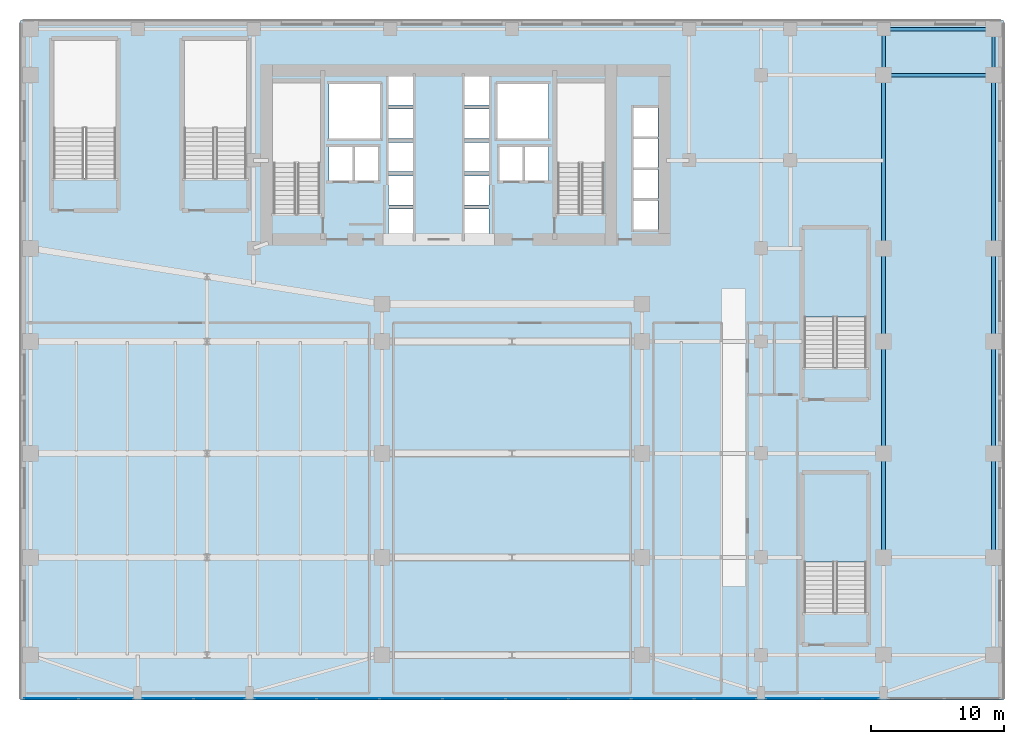
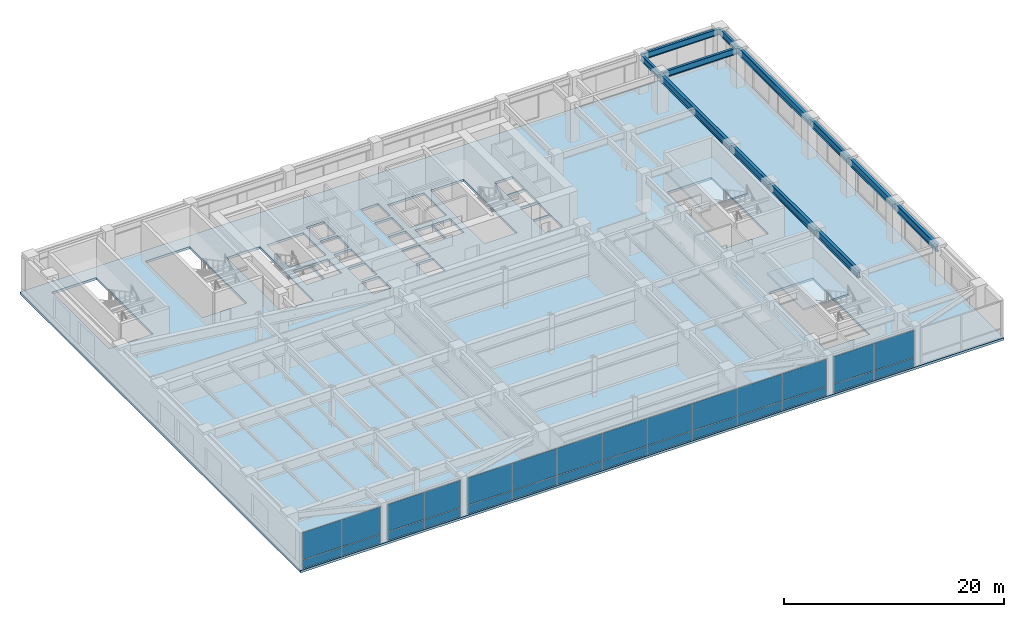
# One storey, part 17 of 27: 28 plates, 12 beams, 3 slabs, 6 elements without a shape of their own.
"""IFC4 building model written with IfcOpenShell, lengths in metres."""

import ifcopenshell
import ifcopenshell.guid

model = None  # the IFC model being written
_history = None  # IfcOwnerHistory: only IFC2X3 demands one
_inside = {}  # id of a spatial element -> (the spatial element, [elements in it])
_under = {}  # id of a project, library or spatial element -> (it, [spatial elements below it])
_declared = {}  # id of a project -> (the project, [libraries it declares])
_typed = {}  # id of a type object -> (the type object, [elements of that type])
_made_of = {}  # id of a material, layer set ... -> (it, [elements and type objects made of it])


def new_model(schema):
    """Start an empty IFC model of exactly this schema.

    Asked for "IFC4X3", IfcOpenShell would pick the latest addendum, in which some entities
    have other attributes; the version numbers below select the first issue.
    IFC2X3 requires an IfcOwnerHistory on every rooted entity: one is made here for all.
    """
    global model, _history
    if schema == "IFC4X3":
        model = ifcopenshell.file(schema_version=(4, 3, 0, 0))
    else:
        model = ifcopenshell.file(schema=schema)
    _inside.clear()
    _under.clear()
    _declared.clear()
    _typed.clear()
    _made_of.clear()
    _history = None
    if model.schema == "IFC2X3":
        org = make("IfcOrganization", Name="unknown")
        user = make(
            "IfcPersonAndOrganization",
            ThePerson=make("IfcPerson", FamilyName="unknown"),
            TheOrganization=org,
        )
        app = make(
            "IfcApplication",
            ApplicationDeveloper=org,
            Version="unknown",
            ApplicationFullName="unknown",
            ApplicationIdentifier="unknown",
        )
        _history = make(
            "IfcOwnerHistory",
            OwningUser=user,
            OwningApplication=app,
            ChangeAction="ADDED",
            CreationDate=0,
        )
    return model


def make(cls, **values):
    """One entity of the class cls with the attributes given. An attribute that is None is left unset."""
    return model.create_entity(
        cls, **{name: value for name, value in values.items() if value is not None}
    )


def rooted(cls, **values):
    """An entity with a GlobalId (a new one), such as an element, a storey or a relation."""
    return make(cls, GlobalId=ifcopenshell.guid.new(), OwnerHistory=_history, **values)


def si_unit(unit_type, name, prefix=None):
    """IfcSIUnit, for example si_unit("LENGTHUNIT", "METRE", prefix="MILLI")."""
    return make("IfcSIUnit", UnitType=unit_type, Prefix=prefix, Name=name)


def assignment(units):
    """IfcUnitAssignment: the units of a project."""
    return None if units is None else make("IfcUnitAssignment", Units=units)


def point(xyz):
    """IfcCartesianPoint."""
    return None if xyz is None else make("IfcCartesianPoint", Coordinates=xyz)


def direction(xyz):
    """IfcDirection."""
    return None if xyz is None else make("IfcDirection", DirectionRatios=xyz)


def frame(location, z_axis=None, x_axis=None):
    """IfcAxis2Placement3D, a coordinate frame: its origin and axes. An axis left out is left unset."""
    return make(
        "IfcAxis2Placement3D",
        Location=point(location),
        Axis=direction(z_axis),
        RefDirection=direction(x_axis),
    )


def frame_2d(location, x_axis=None):
    """IfcAxis2Placement2D, a coordinate frame in the plane: its origin and x axis."""
    return make(
        "IfcAxis2Placement2D", Location=point(location), RefDirection=direction(x_axis)
    )


def origin():
    """The frame at (0, 0, 0) with its axes left unset."""
    return frame((0.0, 0.0, 0.0))


def origin_2d():
    """The frame at (0, 0) in the plane with its x axis left unset."""
    return frame_2d((0.0, 0.0))


def place(relative_to, where):
    """IfcLocalPlacement: puts the frame where relative to a parent placement (None: the world)."""
    return make(
        "IfcLocalPlacement", PlacementRelTo=relative_to, RelativePlacement=where
    )


def context(
    kind, dimensions, precision=None, world=None, true_north=None, identifier=None
):
    """IfcGeometricRepresentationContext, for example the 3D "Model" context."""
    return make(
        "IfcGeometricRepresentationContext",
        ContextIdentifier=identifier,
        ContextType=kind,
        CoordinateSpaceDimension=dimensions,
        Precision=precision,
        WorldCoordinateSystem=world,
        TrueNorth=true_north,
    )


def subcontext(parent, identifier, kind, view, scale=None):
    """IfcGeometricRepresentationSubContext, for example "Body" below "Model"."""
    return make(
        "IfcGeometricRepresentationSubContext",
        ContextIdentifier=identifier,
        ContextType=kind,
        ParentContext=parent,
        TargetScale=scale,
        TargetView=view,
    )


def project(units=None, contexts=None):
    """IfcProject with its units and contexts."""
    return rooted(
        "IfcProject",
        Name="project",
        RepresentationContexts=contexts,
        UnitsInContext=assignment(units),
    )


def spatial(cls, under=None, at=None, **own):
    """A site, building, storey or space (cls), placed at a placement, below another one or the project."""
    s = rooted(cls, ObjectPlacement=at, **own)
    if under is not None:
        _under.setdefault(under.id(), (under, []))[1].append(s)
    return s


def polyline(points):
    """IfcPolyline through the points."""
    return make("IfcPolyline", Points=[point(p) for p in points])


def profile(cls, at=None, kind="AREA", **sizes):
    """A parametric profile (cls). Its sizes go by their IFC names, for example OverallWidth=200.0."""
    return make(cls, ProfileType=kind, Position=at, **sizes)


def rectangle(**sizes):
    """IfcRectangleProfileDef."""
    return profile("IfcRectangleProfileDef", **sizes)


def i_section(**sizes):
    """IfcIShapeProfileDef."""
    return profile("IfcIShapeProfileDef", **sizes)


def outline(outer, holes=None, kind="AREA"):
    """IfcArbitraryClosedProfileDef: a profile drawn as a closed curve; with holes, ...WithVoids."""
    if holes is None:
        return make("IfcArbitraryClosedProfileDef", ProfileType=kind, OuterCurve=outer)
    return make(
        "IfcArbitraryProfileDefWithVoids",
        ProfileType=kind,
        OuterCurve=outer,
        InnerCurves=holes,
    )


def extrude(swept, where, along, depth):
    """IfcExtrudedAreaSolid: the profile swept, set in the frame where, extruded along a direction by depth."""
    return make(
        "IfcExtrudedAreaSolid",
        SweptArea=swept,
        Position=where,
        ExtrudedDirection=direction(along),
        Depth=depth,
    )


def shape(context_of_items, identifier, shape_type, items):
    """IfcShapeRepresentation: the items that make up one representation, for example the "Body"."""
    return make(
        "IfcShapeRepresentation",
        ContextOfItems=context_of_items,
        RepresentationIdentifier=identifier,
        RepresentationType=shape_type,
        Items=items,
    )


def source(mapping_origin, context_of_items, identifier, shape_type, items):
    """IfcRepresentationMap: a shape defined once, which mapped items show again and again."""
    return make(
        "IfcRepresentationMap",
        MappingOrigin=mapping_origin,
        MappedRepresentation=shape(context_of_items, identifier, shape_type, items),
    )


def transform(
    local_origin,
    x_axis=None,
    y_axis=None,
    z_axis=None,
    scale=None,
    scale2=None,
    scale3=None,
    uniform=True,
):
    """IfcCartesianTransformationOperator3D, or its non-uniform kind. x_axis, y_axis, z_axis: its Axis1, 2, 3."""
    if uniform:
        return make(
            "IfcCartesianTransformationOperator3D",
            Axis1=direction(x_axis),
            Axis2=direction(y_axis),
            LocalOrigin=point(local_origin),
            Scale=scale,
            Axis3=direction(z_axis),
        )
    return make(
        "IfcCartesianTransformationOperator3DnonUniform",
        Axis1=direction(x_axis),
        Axis2=direction(y_axis),
        LocalOrigin=point(local_origin),
        Scale=scale,
        Axis3=direction(z_axis),
        Scale2=scale2,
        Scale3=scale3,
    )


def mapped(mapping_source, mapping_target):
    """IfcMappedItem: shows the shape of a source again, moved by a transform."""
    return make(
        "IfcMappedItem", MappingSource=mapping_source, MappingTarget=mapping_target
    )


def material(Name=None, Category=None):
    """IfcMaterial."""
    return make("IfcMaterial", Name=Name, Category=Category)


def layer(
    of_material, thickness, ventilated=None, Name=None, Category=None, Priority=None
):
    """IfcMaterialLayer: one layer of a wall or slab, of a material (None: an air gap)."""
    return make(
        "IfcMaterialLayer",
        Material=of_material,
        LayerThickness=thickness,
        IsVentilated=ventilated,
        Name=Name,
        Category=Category,
        Priority=Priority,
    )


def layer_set(layers, Name=None):
    """IfcMaterialLayerSet."""
    return make("IfcMaterialLayerSet", MaterialLayers=layers, LayerSetName=Name)


def material_profile(
    of_material, cross_section, Name=None, Category=None, Priority=None
):
    """IfcMaterialProfile: a cross section and its material."""
    return make(
        "IfcMaterialProfile",
        Name=Name,
        Material=of_material,
        Profile=cross_section,
        Priority=Priority,
        Category=Category,
    )


def profile_set(profiles, Name=None, composite=None):
    """IfcMaterialProfileSet."""
    return make(
        "IfcMaterialProfileSet",
        Name=Name,
        MaterialProfiles=profiles,
        CompositeProfile=composite,
    )


def made_of(thing, what):
    """Note that an element or type object is made of a material, layer set ...; save() writes the relation."""
    if what is not None:
        _made_of.setdefault(what.id(), (what, []))[1].append(thing)
    return thing


def type_object(cls, material=None, **own):
    """A type object (cls), such as IfcWallType, which elements share."""
    return made_of(rooted(cls, **own), material)


def type_shapes(of_type, sources):
    """Give a type object the sources (RepresentationMaps) that its elements show as mapped items."""
    of_type.RepresentationMaps = sources


def element(
    cls,
    number,
    at=None,
    inside=None,
    cuts=None,
    type_object=None,
    material=None,
    context=None,
    identifier="Body",
    shape_type=None,
    held_by="IfcProductDefinitionShape",
    body=None,
    shapes=None,
    **own,
):
    """One element of the class cls, such as IfcWall. Its Tag is "e" and its number.

    at: its placement. inside: the storey or other place that contains it. cuts: it is an
    opening in that element (IfcRelVoidsElement). A single representation is given by context,
    identifier, shape_type and body (its items); several are given by shapes. held_by: the class
    of the entity that holds the representations. save() writes the other relations.
    """
    e = rooted(cls, Tag="e%d" % number, ObjectPlacement=at, **own)
    if body is not None:
        shapes = [shape(context, identifier, shape_type, body)]
    if shapes is not None:
        e.Representation = make(held_by, Representations=shapes)
    if inside is not None:
        _inside.setdefault(inside.id(), (inside, []))[1].append(e)
    if cuts is not None:
        rooted(
            "IfcRelVoidsElement", RelatingBuildingElement=cuts, RelatedOpeningElement=e
        )
    if type_object is not None:
        _typed.setdefault(type_object.id(), (type_object, []))[1].append(e)
    return made_of(e, material)


def aggregate(whole, parts):
    """IfcRelAggregates: a whole, such as a stair, and the parts it consists of."""
    return rooted("IfcRelAggregates", RelatingObject=whole, RelatedObjects=parts)


def save(model, path):
    """Write the relations noted so far, then the file.

    IfcRelAggregates (storeys below a building ...), IfcRelContainedInSpatialStructure (elements
    in a storey), IfcRelDefinesByType, IfcRelAssociatesMaterial and IfcRelDeclares: one each for
    every whole, place, type object, material and project.
    """
    for whole, parts in _under.values():
        aggregate(whole, parts)
    for where, things in _inside.values():
        rooted(
            "IfcRelContainedInSpatialStructure",
            RelatedElements=things,
            RelatingStructure=where,
        )
    for kind, things in _typed.values():
        rooted("IfcRelDefinesByType", RelatedObjects=things, RelatingType=kind)
    for what, things in _made_of.values():
        rooted("IfcRelAssociatesMaterial", RelatedObjects=things, RelatingMaterial=what)
    for by, libraries in _declared.values():
        rooted("IfcRelDeclares", RelatingContext=by, RelatedDefinitions=libraries)
    model.write(path)


model = new_model("IFC4")

# Units and contexts
model_context = context("Model", 3, precision=1e-05, world=origin(), true_north=direction((0.0, 1.0)))
body_context = subcontext(model_context, "Body", "Model", "MODEL_VIEW")
ifc_project = project(units=[si_unit("LENGTHUNIT", "METRE"), si_unit("AREAUNIT", "SQUARE_METRE"), si_unit("VOLUMEUNIT", "CUBIC_METRE"), si_unit("PLANEANGLEUNIT", "RADIAN"), si_unit("MASSUNIT", "GRAM", prefix="KILO")], contexts=[model_context])

# Site, building, storey
site_placement = place(None, origin())
site = spatial("IfcSite", under=ifc_project, at=site_placement, CompositionType="ELEMENT")
building_placement = place(site_placement, origin())
building = spatial("IfcBuilding", under=site, at=building_placement, Name="Tolvann Quenvar Hotel", CompositionType="ELEMENT")
storey_placement = place(building_placement, frame((0.0, 0.0, 22.39990234375)))
storey = spatial("IfcBuildingStorey", under=building, at=storey_placement, Name="L04", CompositionType="ELEMENT", Elevation=22.39990234375)

# Beams
ifc_material_1 = material(Name="Steel Grade 350", Category="steel")
ifc_material_profile_1 = material_profile(ifc_material_1, i_section(OverallWidth=0.300048828125, OverallDepth=0.81591796875, WebThickness=0.010009765625, FlangeThickness=0.028076171875, at=origin_2d()), Name="800WB192")
ifc_profile_set_1 = profile_set([ifc_material_profile_1], Name="Steel Grade 350")
beam_type_1 = type_object("IfcBeamType", Name="BM_GIRD_800WB192", PredefinedType="BEAM", material=ifc_profile_set_1)
shared_shape_1 = source(origin(), body_context, "Body", "SweptSolid", [
    extrude(i_section(OverallWidth=0.300048828125, OverallDepth=0.81591796875, WebThickness=0.010009765625, FlangeThickness=0.028076171875, at=origin_2d()), origin(), (0.0, 0.0, 1.0), 7.800048828125),
])
for number, where, z_axis, x_axis, name in (
    (1, (56.39990234375, 8.199951171875, 3.732177734375), (0.0, 1.0, 0.0), (-1.0, 0.0, 0.0), "BM-L04-NS-J-1"),
    (2, (64.64990234375, 8.199951171875, 3.732177734375), (0.0, 1.0, 0.0), (-1.0, 0.0, 0.0), "BM-L04-NS-K-1"),
):
    element("IfcBeam", number, at=place(storey_placement, frame(where, z_axis=z_axis, x_axis=x_axis)), inside=storey, type_object=beam_type_1, Name=name, PredefinedType="BEAM", context=body_context, shape_type="MappedRepresentation", body=[
        mapped(shared_shape_1, transform((0.0, 0.0, 0.0), x_axis=(1.0, 0.0, 0.0), y_axis=(0.0, 1.0, 0.0), z_axis=(0.0, 0.0, 1.0), scale=1.0)),
    ])
shared_shape_2 = source(origin(), body_context, "Body", "SweptSolid", [
    extrude(i_section(OverallWidth=0.300048828125, OverallDepth=0.81591796875, WebThickness=0.010009765625, FlangeThickness=0.028076171875, at=origin_2d()), origin(), (0.0, 0.0, 1.0), 8.39990234375),
])
for number, where, z_axis, x_axis, name in (
    (3, (56.39990234375, 16.0, 3.732177734375), (0.0, 1.0, 0.0), (-1.0, 0.0, 0.0), "BM-L04-NS-J-2"),
    (4, (64.64990234375, 16.0, 3.732177734375), (0.0, 1.0, 0.0), (-1.0, 0.0, 0.0), "BM-L04-NS-K-2"),
):
    element("IfcBeam", number, at=place(storey_placement, frame(where, z_axis=z_axis, x_axis=x_axis)), inside=storey, type_object=beam_type_1, Name=name, PredefinedType="BEAM", context=body_context, shape_type="MappedRepresentation", body=[
        mapped(shared_shape_2, transform((0.0, 0.0, 0.0), x_axis=(1.0, 0.0, 0.0), y_axis=(0.0, 1.0, 0.0), z_axis=(0.0, 0.0, 1.0), scale=1.0)),
    ])
ifc_material_profile_2 = material_profile(ifc_material_1, i_section(OverallWidth=0.25, OverallDepth=0.699951171875, WebThickness=0.010009765625, FlangeThickness=0.02392578125, at=origin_2d()), Name="700WB150")
ifc_profile_set_2 = profile_set([ifc_material_profile_2], Name="Steel Grade 350")
beam_type_2 = type_object("IfcBeamType", Name="BM_GIRD_700WB150", PredefinedType="BEAM", material=ifc_profile_set_2)
shared_shape_3 = source(origin(), body_context, "Body", "SweptSolid", [
    extrude(i_section(OverallWidth=0.25, OverallDepth=0.699951171875, WebThickness=0.010009765625, FlangeThickness=0.02392578125, at=origin_2d()), origin(), (0.0, 0.0, 1.0), 8.25),
])
for number, where, z_axis, x_axis, name in (
    (5, (56.39990234375, 44.39990234375, 3.7900390625), (1.0, 0.0, 0.0), (0.0, 1.0, 0.0), "BM-L04-GE3-6"),
    (6, (56.39990234375, 47.85009765625, 3.7900390625), (1.0, 0.0, 0.0), (0.0, 1.0, 0.0), "BM-L04-EWN-7"),
):
    element("IfcBeam", number, at=place(storey_placement, frame(where, z_axis=z_axis, x_axis=x_axis)), inside=storey, type_object=beam_type_2, Name=name, PredefinedType="BEAM", context=body_context, shape_type="MappedRepresentation", body=[
        mapped(shared_shape_3, transform((0.0, 0.0, 0.0), x_axis=(1.0, 0.0, 0.0), y_axis=(0.0, 1.0, 0.0), z_axis=(0.0, 0.0, 1.0), scale=1.0)),
    ])
shared_shape_4 = source(origin(), body_context, "Body", "SweptSolid", [
    extrude(i_section(OverallWidth=0.300048828125, OverallDepth=0.81591796875, WebThickness=0.010009765625, FlangeThickness=0.028076171875, at=origin_2d()), origin(), (0.0, 0.0, 1.0), 7.0),
])
for number, where, z_axis, x_axis, name in (
    (7, (56.39990234375, 24.39990234375, 3.732177734375), (0.0, 1.0, 0.0), (-1.0, 0.0, 0.0), "BM-L04-NS-J-3"),
    (8, (64.64990234375, 24.39990234375, 3.732177734375), (0.0, 1.0, 0.0), (-1.0, 0.0, 0.0), "BM-L04-NS-K-3"),
):
    element("IfcBeam", number, at=place(storey_placement, frame(where, z_axis=z_axis, x_axis=x_axis)), inside=storey, type_object=beam_type_1, Name=name, PredefinedType="BEAM", context=body_context, shape_type="MappedRepresentation", body=[
        mapped(shared_shape_4, transform((0.0, 0.0, 0.0), x_axis=(1.0, 0.0, 0.0), y_axis=(0.0, 1.0, 0.0), z_axis=(0.0, 0.0, 1.0), scale=1.0)),
    ])
shared_shape_5 = source(origin(), body_context, "Body", "SweptSolid", [
    extrude(i_section(OverallWidth=0.300048828125, OverallDepth=0.81591796875, WebThickness=0.010009765625, FlangeThickness=0.028076171875, at=origin_2d()), origin(), (0.0, 0.0, 1.0), 13.0),
])
type_shapes(beam_type_1, [shared_shape_1, shared_shape_2, shared_shape_4, shared_shape_5])
for number, where, z_axis, x_axis, name in (
    (9, (56.39990234375, 31.39990234375, 3.732177734375), (0.0, 1.0, 0.0), (-1.0, 0.0, 0.0), "BM-L04-NS-J-4"),
    (10, (64.64990234375, 31.39990234375, 3.732177734375), (0.0, 1.0, 0.0), (-1.0, 0.0, 0.0), "BM-L04-NS-K-4"),
):
    element("IfcBeam", number, at=place(storey_placement, frame(where, z_axis=z_axis, x_axis=x_axis)), inside=storey, type_object=beam_type_1, Name=name, PredefinedType="BEAM", context=body_context, shape_type="MappedRepresentation", body=[
        mapped(shared_shape_5, transform((0.0, 0.0, 0.0), x_axis=(1.0, 0.0, 0.0), y_axis=(0.0, 1.0, 0.0), z_axis=(0.0, 0.0, 1.0), scale=1.0)),
    ])
shared_shape_6 = source(origin(), body_context, "Body", "SweptSolid", [
    extrude(i_section(OverallWidth=0.25, OverallDepth=0.699951171875, WebThickness=0.010009765625, FlangeThickness=0.02392578125, at=origin_2d()), origin(), (0.0, 0.0, 1.0), 3.4501953125),
])
type_shapes(beam_type_2, [shared_shape_3, shared_shape_6])
for number, where, z_axis, x_axis, name in (
    (11, (56.39990234375, 44.39990234375, 3.7900390625), (0.0, 1.0, 0.0), (-1.0, 0.0, 0.0), "BM-L04-NSN-J"),
    (12, (64.64990234375, 44.39990234375, 3.7900390625), (0.0, 1.0, 0.0), (-1.0, 0.0, 0.0), "BM-L04-NSN-K"),
):
    element("IfcBeam", number, at=place(storey_placement, frame(where, z_axis=z_axis, x_axis=x_axis)), inside=storey, type_object=beam_type_2, Name=name, PredefinedType="BEAM", context=body_context, shape_type="MappedRepresentation", body=[
        mapped(shared_shape_6, transform((0.0, 0.0, 0.0), x_axis=(1.0, 0.0, 0.0), y_axis=(0.0, 1.0, 0.0), z_axis=(0.0, 0.0, 1.0), scale=1.0)),
    ])

# Stair, slab
ifc_material_2 = material(Name="Concrete N40 (40 MPa)", Category="concrete")
stair_type = type_object("IfcStairType", Name="STAIR", PredefinedType="HALF_TURN_STAIR", material=ifc_material_2)
stair_1_placement = place(storey_placement, origin())
stair_1 = element("IfcStair", 13, at=stair_1_placement, inside=storey, type_object=stair_type, Name="L04 ST-P3", PredefinedType="HALF_TURN_STAIR")
ifc_layer_1 = layer(ifc_material_2, 0.199951171875)
ifc_layer_set_1 = layer_set([ifc_layer_1], Name="Concrete N40 (40 MPa)")
slab_type_1 = type_object("IfcSlabType", Name="SLAB_LANDING", PredefinedType="LANDING", material=ifc_layer_set_1)
slab_1_placement = place(storey_placement, frame((0.0, 0.0, 2.0)))
slab_1 = element("IfcSlab", 14, at=slab_1_placement, type_object=slab_type_1, Name="ST-P3 landing 1", PredefinedType="LANDING", context=body_context, shape_type="SweptSolid", body=[
    extrude(outline(polyline([(55.22998046875, 7.844970703125), (55.22998046875, 14.47998046875), (50.320068359375, 14.47998046875), (50.320068359375, 7.844970703125), (55.22998046875, 7.844970703125)])), origin(), (0.0, 0.0, 1.0), 0.2001953125),
])
aggregate(stair_1, [slab_1])

stair_2_placement = place(storey_placement, origin())
stair_2 = element("IfcStair", 15, at=stair_2_placement, inside=storey, type_object=stair_type, Name="L04 ST-P4", PredefinedType="HALF_TURN_STAIR")
slab_2_placement = place(storey_placement, frame((0.0, 0.0, 2.0)))
slab_2 = element("IfcSlab", 16, at=slab_2_placement, type_object=slab_type_1, Name="ST-P4 landing 1", PredefinedType="LANDING", context=body_context, shape_type="SweptSolid", body=[
    extrude(outline(polyline([(55.22998046875, 26.2451171875), (55.22998046875, 32.8798828125), (50.320068359375, 32.8798828125), (50.320068359375, 26.2451171875), (55.22998046875, 26.2451171875)])), origin(), (0.0, 0.0, 1.0), 0.2001953125),
])
aggregate(stair_2, [slab_2])

# Slab
ifc_material_3 = material(Name="Concrete N50 (50 MPa)", Category="concrete")
ifc_layer_2 = layer(ifc_material_3, 0.260009765625)
ifc_layer_set_2 = layer_set([ifc_layer_2], Name="Concrete N50 (50 MPa)")
slab_type_2 = type_object("IfcSlabType", Name="SLAB_POD_250", PredefinedType="FLOOR", material=ifc_layer_set_2)
slab_3_placement = place(storey_placement, frame((0.0, 0.0, -0.260009765625)))
element("IfcSlab", 17, at=slab_3_placement, inside=storey, type_object=slab_type_2, Name="Level L04 Structural Floor Slab", PredefinedType="FLOOR", context=body_context, shape_type="SweptSolid", body=[
    extrude(outline(polyline([(-8.39990234375, -2.5), (65.39990234375, -2.5), (65.39990234375, 48.5), (-8.39990234375, 48.5), (-8.39990234375, -2.5)]), holes=[polyline([(50.449951171875, 4.074951171875), (50.449951171875, 14.39990234375), (55.10009765625, 14.39990234375), (55.10009765625, 4.074951171875), (50.449951171875, 4.074951171875)]), polyline([(50.449951171875, 32.800048828125), (55.10009765625, 32.800048828125), (55.10009765625, 22.47509765625), (50.449951171875, 22.47509765625), (50.449951171875, 32.800048828125)]), polyline([(39.469970703125, 41.949951171875), (39.469970703125, 39.77001953125), (37.6298828125, 39.77001953125), (37.6298828125, 41.949951171875), (39.469970703125, 41.949951171875)]), polyline([(39.469970703125, 39.6298828125), (39.469970703125, 37.449951171875), (37.6298828125, 37.449951171875), (37.6298828125, 39.6298828125), (39.469970703125, 39.6298828125)]), polyline([(37.6298828125, 37.31005859375), (39.469970703125, 37.31005859375), (39.469970703125, 35.1298828125), (37.6298828125, 35.1298828125), (37.6298828125, 37.31005859375)]), polyline([(39.469970703125, 34.989990234375), (39.469970703125, 32.81005859375), (37.6298828125, 32.81005859375), (37.6298828125, 34.989990234375), (39.469970703125, 34.989990234375)]), polyline([(31.949951171875, 43.800048828125), (35.39990234375, 43.800048828125), (35.39990234375, 34.02490234375), (31.949951171875, 34.02490234375), (31.949951171875, 43.800048828125)]), polyline([(31.25, 39.02001953125), (31.25, 36.47998046875), (29.449951171875, 36.47998046875), (29.449951171875, 39.02001953125), (31.25, 39.02001953125)]), polyline([(31.25, 43.75), (31.25, 39.64990234375), (27.39990234375, 39.64990234375), (27.39990234375, 43.75), (31.25, 43.75)]), polyline([(29.324951171875, 39.02001953125), (29.324951171875, 36.47998046875), (27.574951171875, 36.47998046875), (27.574951171875, 39.02001953125), (29.324951171875, 39.02001953125)]), polyline([(24.929931640625, 36.840087890625), (26.77001953125, 36.840087890625), (26.77001953125, 34.659912109375), (24.929931640625, 34.659912109375), (24.929931640625, 36.840087890625)]), polyline([(26.77001953125, 44.340087890625), (26.77001953125, 42.159912109375), (24.929931640625, 42.159912109375), (24.929931640625, 44.340087890625), (26.77001953125, 44.340087890625)]), polyline([(26.77001953125, 41.840087890625), (26.77001953125, 39.659912109375), (24.929931640625, 39.659912109375), (24.929931640625, 41.840087890625), (26.77001953125, 41.840087890625)]), polyline([(24.929931640625, 39.340087890625), (26.77001953125, 39.340087890625), (26.77001953125, 37.159912109375), (24.929931640625, 37.159912109375), (24.929931640625, 39.340087890625)]), polyline([(26.77001953125, 34.340087890625), (26.77001953125, 32.159912109375), (24.929931640625, 32.159912109375), (24.929931640625, 34.340087890625), (26.77001953125, 34.340087890625)]), polyline([(21.070068359375, 44.340087890625), (21.070068359375, 42.159912109375), (19.22998046875, 42.159912109375), (19.22998046875, 44.340087890625), (21.070068359375, 44.340087890625)]), polyline([(21.070068359375, 41.840087890625), (21.070068359375, 39.659912109375), (19.22998046875, 39.659912109375), (19.22998046875, 41.840087890625), (21.070068359375, 41.840087890625)]), polyline([(19.22998046875, 39.340087890625), (21.070068359375, 39.340087890625), (21.070068359375, 37.159912109375), (19.22998046875, 37.159912109375), (19.22998046875, 39.340087890625)]), polyline([(21.070068359375, 36.840087890625), (21.070068359375, 34.659912109375), (19.22998046875, 34.659912109375), (19.22998046875, 36.840087890625), (21.070068359375, 36.840087890625)]), polyline([(19.22998046875, 34.340087890625), (21.070068359375, 34.340087890625), (21.070068359375, 32.159912109375), (19.22998046875, 32.159912109375), (19.22998046875, 34.340087890625)]), polyline([(18.60009765625, 43.75), (18.60009765625, 39.64990234375), (14.75, 39.64990234375), (14.75, 43.75), (18.60009765625, 43.75)]), polyline([(18.425048828125, 39.02001953125), (18.425048828125, 36.47998046875), (16.675048828125, 36.47998046875), (16.675048828125, 39.02001953125), (18.425048828125, 39.02001953125)]), polyline([(16.550048828125, 39.02001953125), (16.550048828125, 36.47998046875), (14.75, 36.47998046875), (14.75, 39.02001953125), (16.550048828125, 39.02001953125)]), polyline([(10.60009765625, 43.800048828125), (14.050048828125, 43.800048828125), (14.050048828125, 34.02490234375), (10.60009765625, 34.02490234375), (10.60009765625, 43.800048828125)]), polyline([(3.89990234375, 47.0), (8.550048828125, 47.0), (8.550048828125, 36.675048828125), (3.89990234375, 36.675048828125), (3.89990234375, 47.0)]), polyline([(-5.89990234375, 47.0), (-1.25, 47.0), (-1.25, 36.675048828125), (-5.89990234375, 36.675048828125), (-5.89990234375, 47.0)])]), origin(), (0.0, 0.0, 1.0), 0.260009765625),
])

# Curtain wall, plates
ifc_material_4 = material(Name="Thermally broken anodised architectural aluminium 6063-T6 and laminated low-E glass", Category="aluminium")
ifc_layer_3 = layer(ifc_material_4, 0.179931640625)
ifc_layer_set_3 = layer_set([ifc_layer_3], Name="Thermally broken anodised architectural aluminium 6063-T6 and laminated low-E glass")
curtain_wall_type = type_object("IfcCurtainWallType", Name="CW_SYS_BALL_02", PredefinedType="USERDEFINED", material=ifc_layer_set_3)
curtain_wall_1_placement = place(storey_placement, origin())
curtain_wall_1 = element("IfcCurtainWall", 18, at=curtain_wall_1_placement, inside=storey, type_object=curtain_wall_type, Name="Curtain Wall CW-BALL-02 (CWR-L04-E04-S4)", ObjectType="UNITISED CURTAIN WALL", PredefinedType="USERDEFINED")
ifc_material_5 = material(Name="Low-iron laminated double glazing with solar-control coating", Category="glass")
ifc_layer_4 = layer(ifc_material_5, 0.028076171875)
ifc_layer_set_4 = layer_set([ifc_layer_4], Name="Low-iron laminated double glazing with solar-control coating")
plate_type = type_object("IfcPlateType", Name="CW_PAN_VISION_28", PredefinedType="CURTAIN_PANEL", material=ifc_layer_set_4)
shared_shape_7 = source(origin(), body_context, "Body", "SweptSolid", [
    extrude(rectangle(XDim=4.19091796875, YDim=0.028076171875, at=origin_2d()), origin(), (0.0, 0.0, 1.0), 0.9599609375),
])
plate_1_placement = place(storey_placement, frame((49.66943359375, -2.409912109375, 0.06005859375), z_axis=(0.0, 0.0, 1.0), x_axis=(1.0, 0.0, 0.0)))
plate_1 = element("IfcPlate", 19, at=plate_1_placement, type_object=plate_type, Name="CW-BALL-02 panel 1.1", PredefinedType="CURTAIN_PANEL", context=body_context, shape_type="MappedRepresentation", body=[
    mapped(shared_shape_7, transform((0.0, 0.0, 0.0), x_axis=(1.0, 0.0, 0.0), y_axis=(0.0, 1.0, 0.0), z_axis=(0.0, 0.0, 1.0), scale=1.0)),
])
plate_2_placement = place(storey_placement, frame((53.930419921875, -2.409912109375, 0.06005859375), z_axis=(0.0, 0.0, 1.0), x_axis=(1.0, 0.0, 0.0)))
plate_2 = element("IfcPlate", 20, at=plate_2_placement, type_object=plate_type, Name="CW-BALL-02 panel 2.1", PredefinedType="CURTAIN_PANEL", context=body_context, shape_type="MappedRepresentation", body=[
    mapped(shared_shape_7, transform((0.0, 0.0, 0.0), x_axis=(1.0, 0.0, 0.0), y_axis=(0.0, 1.0, 0.0), z_axis=(0.0, 0.0, 1.0), scale=1.0)),
])

curtain_wall_2_placement = place(storey_placement, origin())
curtain_wall_2 = element("IfcCurtainWall", 21, at=curtain_wall_2_placement, inside=storey, type_object=curtain_wall_type, Name="Curtain Wall CW-BALL-02 (CWR-L04-E04-S1)", ObjectType="UNITISED CURTAIN WALL", PredefinedType="USERDEFINED")
shared_shape_8 = source(origin(), body_context, "Body", "SweptSolid", [
    extrude(rectangle(XDim=4.0380859375, YDim=0.028076171875, at=origin_2d()), origin(), (0.0, 0.0, 1.0), 0.9599609375),
])
plate_3_placement = place(storey_placement, frame((-6.10107421875, -2.409912109375, 0.06005859375), z_axis=(0.0, 0.0, 1.0), x_axis=(1.0, 0.0, 0.0)))
plate_3 = element("IfcPlate", 22, at=plate_3_placement, type_object=plate_type, Name="CW-BALL-02 panel 1.1", PredefinedType="CURTAIN_PANEL", context=body_context, shape_type="MappedRepresentation", body=[
    mapped(shared_shape_8, transform((0.0, 0.0, 0.0), x_axis=(1.0, 0.0, 0.0), y_axis=(0.0, 1.0, 0.0), z_axis=(0.0, 0.0, 1.0), scale=1.0)),
])
plate_4_placement = place(storey_placement, frame((-1.992919921875, -2.409912109375, 0.06005859375), z_axis=(0.0, 0.0, 1.0), x_axis=(1.0, 0.0, 0.0)))
plate_4 = element("IfcPlate", 23, at=plate_4_placement, type_object=plate_type, Name="CW-BALL-02 panel 2.1", PredefinedType="CURTAIN_PANEL", context=body_context, shape_type="MappedRepresentation", body=[
    mapped(shared_shape_8, transform((0.0, 0.0, 0.0), x_axis=(1.0, 0.0, 0.0), y_axis=(0.0, 1.0, 0.0), z_axis=(0.0, 0.0, 1.0), scale=1.0)),
])

curtain_wall_3_placement = place(storey_placement, origin())
curtain_wall_3 = element("IfcCurtainWall", 24, at=curtain_wall_3_placement, inside=storey, type_object=curtain_wall_type, Name="Curtain Wall CW-BALL-02 (CWR-L04-E04-S2)", ObjectType="UNITISED CURTAIN WALL", PredefinedType="USERDEFINED")
shared_shape_9 = source(origin(), body_context, "Body", "SweptSolid", [
    extrude(rectangle(XDim=3.791015625, YDim=0.028076171875, at=origin_2d()), origin(), (0.0, 0.0, 1.0), 0.9599609375),
])
plate_5_placement = place(storey_placement, frame((2.66943359375, -2.409912109375, 0.06005859375), z_axis=(0.0, 0.0, 1.0), x_axis=(1.0, 0.0, 0.0)))
plate_5 = element("IfcPlate", 25, at=plate_5_placement, type_object=plate_type, Name="CW-BALL-02 panel 1.1", PredefinedType="CURTAIN_PANEL", context=body_context, shape_type="MappedRepresentation", body=[
    mapped(shared_shape_9, transform((0.0, 0.0, 0.0), x_axis=(1.0, 0.0, 0.0), y_axis=(0.0, 1.0, 0.0), z_axis=(0.0, 0.0, 1.0), scale=1.0)),
])
plate_6_placement = place(storey_placement, frame((6.530517578125, -2.409912109375, 0.06005859375), z_axis=(0.0, 0.0, 1.0), x_axis=(1.0, 0.0, 0.0)))
plate_6 = element("IfcPlate", 26, at=plate_6_placement, type_object=plate_type, Name="CW-BALL-02 panel 2.1", PredefinedType="CURTAIN_PANEL", context=body_context, shape_type="MappedRepresentation", body=[
    mapped(shared_shape_9, transform((0.0, 0.0, 0.0), x_axis=(1.0, 0.0, 0.0), y_axis=(0.0, 1.0, 0.0), z_axis=(0.0, 0.0, 1.0), scale=1.0)),
])

# Plate
shared_shape_10 = source(origin(), body_context, "Body", "SweptSolid", [
    extrude(rectangle(XDim=4.0380859375, YDim=0.028076171875, at=origin_2d()), origin(), (0.0, 0.0, 1.0), 3.0),
])
plate_7_placement = place(storey_placement, frame((-6.10107421875, -2.409912109375, 1.080078125), z_axis=(0.0, 0.0, 1.0), x_axis=(1.0, 0.0, 0.0)))
plate_7 = element("IfcPlate", 27, at=plate_7_placement, type_object=plate_type, Name="CW-BALL-02 panel 1.2", PredefinedType="CURTAIN_PANEL", context=body_context, shape_type="MappedRepresentation", body=[
    mapped(shared_shape_10, transform((0.0, 0.0, 0.0), x_axis=(1.0, 0.0, 0.0), y_axis=(0.0, 1.0, 0.0), z_axis=(0.0, 0.0, 1.0), scale=1.0)),
])

plate_8_placement = place(storey_placement, frame((-1.992919921875, -2.409912109375, 1.080078125), z_axis=(0.0, 0.0, 1.0), x_axis=(1.0, 0.0, 0.0)))
plate_8 = element("IfcPlate", 28, at=plate_8_placement, type_object=plate_type, Name="CW-BALL-02 panel 2.2", PredefinedType="CURTAIN_PANEL", context=body_context, shape_type="MappedRepresentation", body=[
    mapped(shared_shape_10, transform((0.0, 0.0, 0.0), x_axis=(1.0, 0.0, 0.0), y_axis=(0.0, 1.0, 0.0), z_axis=(0.0, 0.0, 1.0), scale=1.0)),
])

aggregate(curtain_wall_2, [plate_3, plate_7, plate_4, plate_8])

shared_shape_11 = source(origin(), body_context, "Body", "SweptSolid", [
    extrude(rectangle(XDim=3.791015625, YDim=0.028076171875, at=origin_2d()), origin(), (0.0, 0.0, 1.0), 3.0),
])
plate_9_placement = place(storey_placement, frame((2.66943359375, -2.409912109375, 1.080078125), z_axis=(0.0, 0.0, 1.0), x_axis=(1.0, 0.0, 0.0)))
plate_9 = element("IfcPlate", 29, at=plate_9_placement, type_object=plate_type, Name="CW-BALL-02 panel 1.2", PredefinedType="CURTAIN_PANEL", context=body_context, shape_type="MappedRepresentation", body=[
    mapped(shared_shape_11, transform((0.0, 0.0, 0.0), x_axis=(1.0, 0.0, 0.0), y_axis=(0.0, 1.0, 0.0), z_axis=(0.0, 0.0, 1.0), scale=1.0)),
])

plate_10_placement = place(storey_placement, frame((6.530517578125, -2.409912109375, 1.080078125), z_axis=(0.0, 0.0, 1.0), x_axis=(1.0, 0.0, 0.0)))
plate_10 = element("IfcPlate", 30, at=plate_10_placement, type_object=plate_type, Name="CW-BALL-02 panel 2.2", PredefinedType="CURTAIN_PANEL", context=body_context, shape_type="MappedRepresentation", body=[
    mapped(shared_shape_11, transform((0.0, 0.0, 0.0), x_axis=(1.0, 0.0, 0.0), y_axis=(0.0, 1.0, 0.0), z_axis=(0.0, 0.0, 1.0), scale=1.0)),
])

aggregate(curtain_wall_3, [plate_5, plate_9, plate_6, plate_10])

# Curtain wall, plates
curtain_wall_4_placement = place(storey_placement, origin())
curtain_wall_4 = element("IfcCurtainWall", 31, at=curtain_wall_4_placement, inside=storey, type_object=curtain_wall_type, Name="Curtain Wall CW-BALL-02 (CWR-L04-E04-S3)", ObjectType="UNITISED CURTAIN WALL", PredefinedType="USERDEFINED")
shared_shape_12 = source(origin(), body_context, "Body", "SweptSolid", [
    extrude(rectangle(XDim=4.618896484375, YDim=0.028076171875, at=origin_2d()), origin(), (0.0, 0.0, 1.0), 0.9599609375),
])
plate_11_placement = place(storey_placement, frame((11.4833984375, -2.409912109375, 0.06005859375), z_axis=(0.0, 0.0, 1.0), x_axis=(1.0, 0.0, 0.0)))
plate_11 = element("IfcPlate", 32, at=plate_11_placement, type_object=plate_type, Name="CW-BALL-02 panel 1.1", PredefinedType="CURTAIN_PANEL", context=body_context, shape_type="MappedRepresentation", body=[
    mapped(shared_shape_12, transform((0.0, 0.0, 0.0), x_axis=(1.0, 0.0, 0.0), y_axis=(0.0, 1.0, 0.0), z_axis=(0.0, 0.0, 1.0), scale=1.0)),
])
plate_12_placement = place(storey_placement, frame((44.5166015625, -2.409912109375, 0.06005859375), z_axis=(0.0, 0.0, 1.0), x_axis=(1.0, 0.0, 0.0)))
plate_12 = element("IfcPlate", 33, at=plate_12_placement, type_object=plate_type, Name="CW-BALL-02 panel 8.1", PredefinedType="CURTAIN_PANEL", context=body_context, shape_type="MappedRepresentation", body=[
    mapped(shared_shape_12, transform((0.0, 0.0, 0.0), x_axis=(1.0, 0.0, 0.0), y_axis=(0.0, 1.0, 0.0), z_axis=(0.0, 0.0, 1.0), scale=1.0)),
])
shared_shape_13 = source(origin(), body_context, "Body", "SweptSolid", [
    extrude(rectangle(XDim=4.618896484375, YDim=0.028076171875, at=origin_2d()), origin(), (0.0, 0.0, 1.0), 3.0),
])
plate_13_placement = place(storey_placement, frame((11.4833984375, -2.409912109375, 1.080078125), z_axis=(0.0, 0.0, 1.0), x_axis=(1.0, 0.0, 0.0)))
plate_13 = element("IfcPlate", 34, at=plate_13_placement, type_object=plate_type, Name="CW-BALL-02 panel 1.2", PredefinedType="CURTAIN_PANEL", context=body_context, shape_type="MappedRepresentation", body=[
    mapped(shared_shape_13, transform((0.0, 0.0, 0.0), x_axis=(1.0, 0.0, 0.0), y_axis=(0.0, 1.0, 0.0), z_axis=(0.0, 0.0, 1.0), scale=1.0)),
])
plate_14_placement = place(storey_placement, frame((44.5166015625, -2.409912109375, 1.080078125), z_axis=(0.0, 0.0, 1.0), x_axis=(1.0, 0.0, 0.0)))
plate_14 = element("IfcPlate", 35, at=plate_14_placement, type_object=plate_type, Name="CW-BALL-02 panel 8.2", PredefinedType="CURTAIN_PANEL", context=body_context, shape_type="MappedRepresentation", body=[
    mapped(shared_shape_13, transform((0.0, 0.0, 0.0), x_axis=(1.0, 0.0, 0.0), y_axis=(0.0, 1.0, 0.0), z_axis=(0.0, 0.0, 1.0), scale=1.0)),
])
shared_shape_14 = source(origin(), body_context, "Body", "SweptSolid", [
    extrude(rectangle(XDim=4.654052734375, YDim=0.028076171875, at=origin_2d()), origin(), (0.0, 0.0, 1.0), 0.9599609375),
])
plate_15_placement = place(storey_placement, frame((16.18994140625, -2.409912109375, 0.06005859375), z_axis=(0.0, 0.0, 1.0), x_axis=(1.0, 0.0, 0.0)))
plate_15 = element("IfcPlate", 36, at=plate_15_placement, type_object=plate_type, Name="CW-BALL-02 panel 2.1", PredefinedType="CURTAIN_PANEL", context=body_context, shape_type="MappedRepresentation", body=[
    mapped(shared_shape_14, transform((0.0, 0.0, 0.0), x_axis=(1.0, 0.0, 0.0), y_axis=(0.0, 1.0, 0.0), z_axis=(0.0, 0.0, 1.0), scale=1.0)),
])
plate_16_placement = place(storey_placement, frame((20.9140625, -2.409912109375, 0.06005859375), z_axis=(0.0, 0.0, 1.0), x_axis=(1.0, 0.0, 0.0)))
plate_16 = element("IfcPlate", 37, at=plate_16_placement, type_object=plate_type, Name="CW-BALL-02 panel 3.1", PredefinedType="CURTAIN_PANEL", context=body_context, shape_type="MappedRepresentation", body=[
    mapped(shared_shape_14, transform((0.0, 0.0, 0.0), x_axis=(1.0, 0.0, 0.0), y_axis=(0.0, 1.0, 0.0), z_axis=(0.0, 0.0, 1.0), scale=1.0)),
])
plate_17_placement = place(storey_placement, frame((25.637939453125, -2.409912109375, 0.06005859375), z_axis=(0.0, 0.0, 1.0), x_axis=(1.0, 0.0, 0.0)))
plate_17 = element("IfcPlate", 38, at=plate_17_placement, type_object=plate_type, Name="CW-BALL-02 panel 4.1", PredefinedType="CURTAIN_PANEL", context=body_context, shape_type="MappedRepresentation", body=[
    mapped(shared_shape_14, transform((0.0, 0.0, 0.0), x_axis=(1.0, 0.0, 0.0), y_axis=(0.0, 1.0, 0.0), z_axis=(0.0, 0.0, 1.0), scale=1.0)),
])
plate_18_placement = place(storey_placement, frame((30.362060546875, -2.409912109375, 0.06005859375), z_axis=(0.0, 0.0, 1.0), x_axis=(1.0, 0.0, 0.0)))
plate_18 = element("IfcPlate", 39, at=plate_18_placement, type_object=plate_type, Name="CW-BALL-02 panel 5.1", PredefinedType="CURTAIN_PANEL", context=body_context, shape_type="MappedRepresentation", body=[
    mapped(shared_shape_14, transform((0.0, 0.0, 0.0), x_axis=(1.0, 0.0, 0.0), y_axis=(0.0, 1.0, 0.0), z_axis=(0.0, 0.0, 1.0), scale=1.0)),
])
plate_19_placement = place(storey_placement, frame((35.0859375, -2.409912109375, 0.06005859375), z_axis=(0.0, 0.0, 1.0), x_axis=(1.0, 0.0, 0.0)))
plate_19 = element("IfcPlate", 40, at=plate_19_placement, type_object=plate_type, Name="CW-BALL-02 panel 6.1", PredefinedType="CURTAIN_PANEL", context=body_context, shape_type="MappedRepresentation", body=[
    mapped(shared_shape_14, transform((0.0, 0.0, 0.0), x_axis=(1.0, 0.0, 0.0), y_axis=(0.0, 1.0, 0.0), z_axis=(0.0, 0.0, 1.0), scale=1.0)),
])
plate_20_placement = place(storey_placement, frame((39.81005859375, -2.409912109375, 0.06005859375), z_axis=(0.0, 0.0, 1.0), x_axis=(1.0, 0.0, 0.0)))
plate_20 = element("IfcPlate", 41, at=plate_20_placement, type_object=plate_type, Name="CW-BALL-02 panel 7.1", PredefinedType="CURTAIN_PANEL", context=body_context, shape_type="MappedRepresentation", body=[
    mapped(shared_shape_14, transform((0.0, 0.0, 0.0), x_axis=(1.0, 0.0, 0.0), y_axis=(0.0, 1.0, 0.0), z_axis=(0.0, 0.0, 1.0), scale=1.0)),
])
shared_shape_15 = source(origin(), body_context, "Body", "SweptSolid", [
    extrude(rectangle(XDim=4.654052734375, YDim=0.028076171875, at=origin_2d()), origin(), (0.0, 0.0, 1.0), 3.0),
])
plate_21_placement = place(storey_placement, frame((16.18994140625, -2.409912109375, 1.080078125), z_axis=(0.0, 0.0, 1.0), x_axis=(1.0, 0.0, 0.0)))
plate_21 = element("IfcPlate", 42, at=plate_21_placement, type_object=plate_type, Name="CW-BALL-02 panel 2.2", PredefinedType="CURTAIN_PANEL", context=body_context, shape_type="MappedRepresentation", body=[
    mapped(shared_shape_15, transform((0.0, 0.0, 0.0), x_axis=(1.0, 0.0, 0.0), y_axis=(0.0, 1.0, 0.0), z_axis=(0.0, 0.0, 1.0), scale=1.0)),
])
plate_22_placement = place(storey_placement, frame((20.9140625, -2.409912109375, 1.080078125), z_axis=(0.0, 0.0, 1.0), x_axis=(1.0, 0.0, 0.0)))
plate_22 = element("IfcPlate", 43, at=plate_22_placement, type_object=plate_type, Name="CW-BALL-02 panel 3.2", PredefinedType="CURTAIN_PANEL", context=body_context, shape_type="MappedRepresentation", body=[
    mapped(shared_shape_15, transform((0.0, 0.0, 0.0), x_axis=(1.0, 0.0, 0.0), y_axis=(0.0, 1.0, 0.0), z_axis=(0.0, 0.0, 1.0), scale=1.0)),
])
plate_23_placement = place(storey_placement, frame((25.637939453125, -2.409912109375, 1.080078125), z_axis=(0.0, 0.0, 1.0), x_axis=(1.0, 0.0, 0.0)))
plate_23 = element("IfcPlate", 44, at=plate_23_placement, type_object=plate_type, Name="CW-BALL-02 panel 4.2", PredefinedType="CURTAIN_PANEL", context=body_context, shape_type="MappedRepresentation", body=[
    mapped(shared_shape_15, transform((0.0, 0.0, 0.0), x_axis=(1.0, 0.0, 0.0), y_axis=(0.0, 1.0, 0.0), z_axis=(0.0, 0.0, 1.0), scale=1.0)),
])
plate_24_placement = place(storey_placement, frame((30.362060546875, -2.409912109375, 1.080078125), z_axis=(0.0, 0.0, 1.0), x_axis=(1.0, 0.0, 0.0)))
plate_24 = element("IfcPlate", 45, at=plate_24_placement, type_object=plate_type, Name="CW-BALL-02 panel 5.2", PredefinedType="CURTAIN_PANEL", context=body_context, shape_type="MappedRepresentation", body=[
    mapped(shared_shape_15, transform((0.0, 0.0, 0.0), x_axis=(1.0, 0.0, 0.0), y_axis=(0.0, 1.0, 0.0), z_axis=(0.0, 0.0, 1.0), scale=1.0)),
])
plate_25_placement = place(storey_placement, frame((35.0859375, -2.409912109375, 1.080078125), z_axis=(0.0, 0.0, 1.0), x_axis=(1.0, 0.0, 0.0)))
plate_25 = element("IfcPlate", 46, at=plate_25_placement, type_object=plate_type, Name="CW-BALL-02 panel 6.2", PredefinedType="CURTAIN_PANEL", context=body_context, shape_type="MappedRepresentation", body=[
    mapped(shared_shape_15, transform((0.0, 0.0, 0.0), x_axis=(1.0, 0.0, 0.0), y_axis=(0.0, 1.0, 0.0), z_axis=(0.0, 0.0, 1.0), scale=1.0)),
])
plate_26_placement = place(storey_placement, frame((39.81005859375, -2.409912109375, 1.080078125), z_axis=(0.0, 0.0, 1.0), x_axis=(1.0, 0.0, 0.0)))
plate_26 = element("IfcPlate", 47, at=plate_26_placement, type_object=plate_type, Name="CW-BALL-02 panel 7.2", PredefinedType="CURTAIN_PANEL", context=body_context, shape_type="MappedRepresentation", body=[
    mapped(shared_shape_15, transform((0.0, 0.0, 0.0), x_axis=(1.0, 0.0, 0.0), y_axis=(0.0, 1.0, 0.0), z_axis=(0.0, 0.0, 1.0), scale=1.0)),
])
aggregate(curtain_wall_4, [plate_11, plate_13, plate_15, plate_21, plate_16, plate_22, plate_17, plate_23, plate_18, plate_24, plate_19, plate_25, plate_20, plate_26, plate_12, plate_14])

# Plate
shared_shape_16 = source(origin(), body_context, "Body", "SweptSolid", [
    extrude(rectangle(XDim=4.19091796875, YDim=0.028076171875, at=origin_2d()), origin(), (0.0, 0.0, 1.0), 3.0),
])
type_shapes(plate_type, [shared_shape_7, shared_shape_8, shared_shape_9, shared_shape_10, shared_shape_11, shared_shape_12, shared_shape_13, shared_shape_14, shared_shape_15, shared_shape_16])
plate_27_placement = place(storey_placement, frame((49.66943359375, -2.409912109375, 1.080078125), z_axis=(0.0, 0.0, 1.0), x_axis=(1.0, 0.0, 0.0)))
plate_27 = element("IfcPlate", 48, at=plate_27_placement, type_object=plate_type, Name="CW-BALL-02 panel 1.2", PredefinedType="CURTAIN_PANEL", context=body_context, shape_type="MappedRepresentation", body=[
    mapped(shared_shape_16, transform((0.0, 0.0, 0.0), x_axis=(1.0, 0.0, 0.0), y_axis=(0.0, 1.0, 0.0), z_axis=(0.0, 0.0, 1.0), scale=1.0)),
])

plate_28_placement = place(storey_placement, frame((53.930419921875, -2.409912109375, 1.080078125), z_axis=(0.0, 0.0, 1.0), x_axis=(1.0, 0.0, 0.0)))
plate_28 = element("IfcPlate", 49, at=plate_28_placement, type_object=plate_type, Name="CW-BALL-02 panel 2.2", PredefinedType="CURTAIN_PANEL", context=body_context, shape_type="MappedRepresentation", body=[
    mapped(shared_shape_16, transform((0.0, 0.0, 0.0), x_axis=(1.0, 0.0, 0.0), y_axis=(0.0, 1.0, 0.0), z_axis=(0.0, 0.0, 1.0), scale=1.0)),
])

aggregate(curtain_wall_1, [plate_1, plate_27, plate_2, plate_28])

save(model, "model.ifc")
